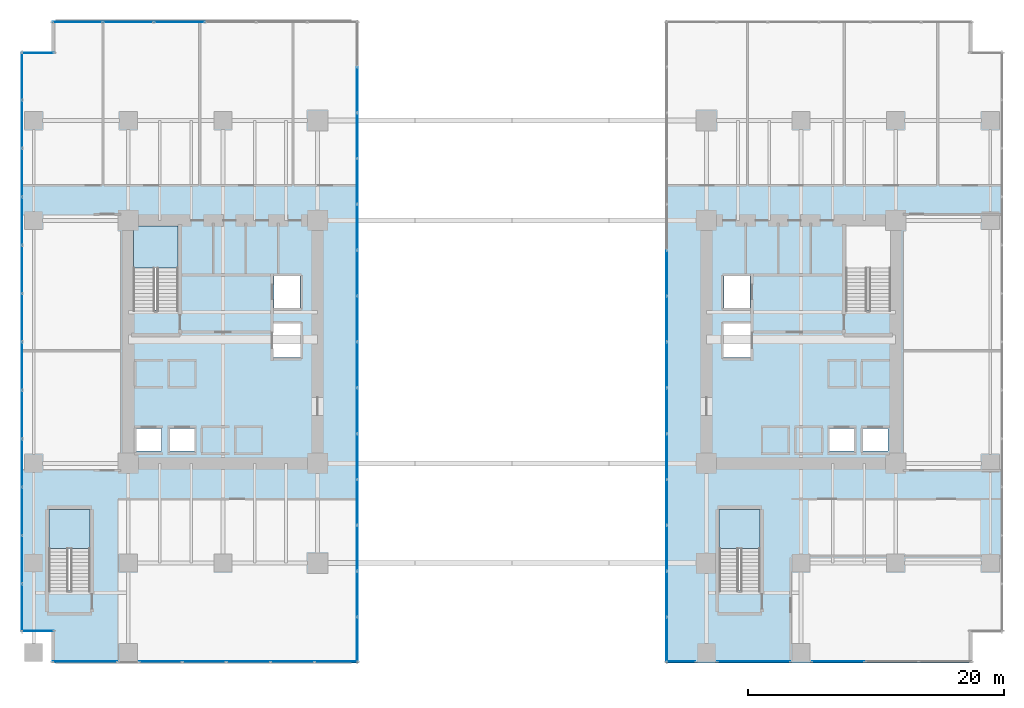
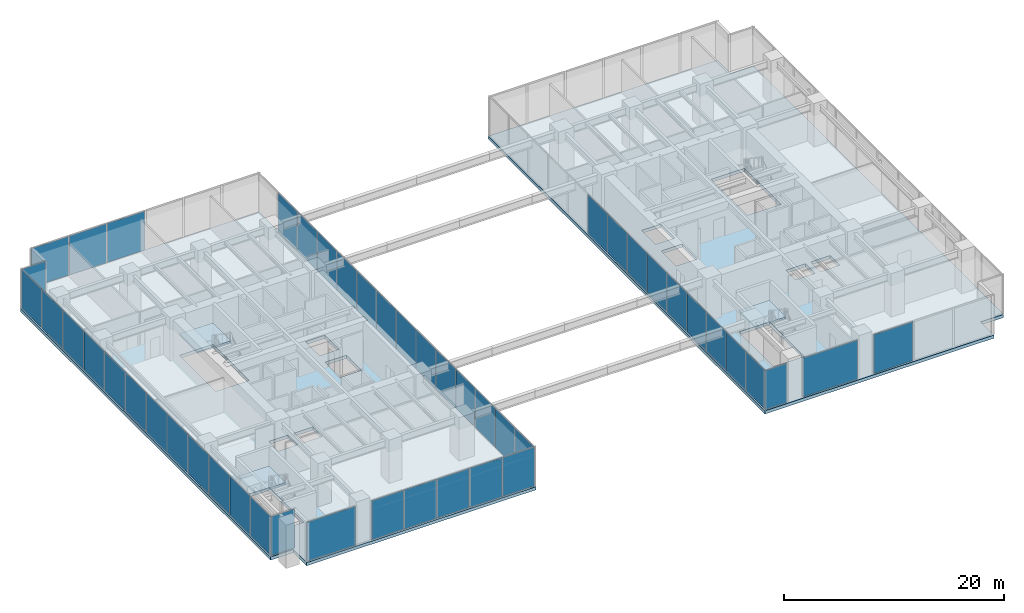
# One storey, part 28 of 39: 48 plates, 5 slabs, 14 elements without a shape of their own.
"""IFC4 building model written with IfcOpenShell, lengths in metres."""

from ifc_helpers import new_model, si_unit, direction, frame, origin, origin_2d, place, context, subcontext, project, spatial, polyline, rectangle, outline, extrude, source, transform, mapped, material, layer, layer_set, type_object, type_shapes, element, aggregate, save


model = new_model("IFC4")

# Units and contexts
model_context = context("Model", 3, precision=1e-05, world=origin(), true_north=direction((0.0, 1.0)))
body_context = subcontext(model_context, "Body", "Model", "MODEL_VIEW")
ifc_project = project(units=[si_unit("LENGTHUNIT", "METRE"), si_unit("AREAUNIT", "SQUARE_METRE"), si_unit("VOLUMEUNIT", "CUBIC_METRE"), si_unit("PLANEANGLEUNIT", "RADIAN"), si_unit("MASSUNIT", "GRAM", prefix="KILO")], contexts=[model_context])

# Site, building, storey
site_placement = place(None, origin())
site = spatial("IfcSite", under=ifc_project, at=site_placement, CompositionType="ELEMENT")
building_placement = place(site_placement, origin())
building = spatial("IfcBuilding", under=site, at=building_placement, Name="Haelvirn Gate Laboratories", CompositionType="ELEMENT")
storey_placement = place(building_placement, frame((0.0, 0.0, 15.0)))
storey = spatial("IfcBuildingStorey", under=building, at=storey_placement, Name="L04", CompositionType="ELEMENT", Elevation=15.0)

# Slabs
ifc_material_1 = material(Name="Concrete C50/60", Category="concrete")
ifc_layer_1 = layer(ifc_material_1, 0.35009765625, Name="SL-POD-350")
ifc_layer_set_1 = layer_set([ifc_layer_1], Name="Concrete C50/60")
slab_type_1 = type_object("IfcSlabType", Name="SL-POD-350", PredefinedType="FLOOR", material=ifc_layer_set_1)
slab_1_placement = place(storey_placement, frame((0.0, 0.0, -0.35009765625)))
element("IfcSlab", 1, at=slab_1_placement, inside=storey, type_object=slab_type_1, Name="L04 Structural Slab W", PredefinedType="FLOOR", context=body_context, shape_type="SweptSolid", body=[
    extrude(outline(polyline([(1.39990234375, -0.800048828125), (25.39990234375, -0.800048828125), (25.39990234375, 49.39990234375), (1.39990234375, 49.39990234375), (1.39990234375, 47.0), (-1.0, 47.0), (-1.0, 1.60009765625), (1.39990234375, 1.60009765625), (1.39990234375, -0.800048828125)]), holes=[polyline([(11.300048828125, 26.780029296875), (11.300048828125, 33.35009765625), (7.800048828125, 33.35009765625), (7.800048828125, 26.780029296875), (11.300048828125, 26.780029296875)]), polyline([(4.39990234375, 4.8798828125), (4.39990234375, 11.199951171875), (1.199951171875, 11.199951171875), (1.199951171875, 4.8798828125), (4.39990234375, 4.8798828125)]), polyline([(7.989990234375, 15.77001953125), (10.010009765625, 15.77001953125), (10.010009765625, 17.510009765625), (7.989990234375, 17.510009765625), (7.989990234375, 15.77001953125)]), polyline([(10.590087890625, 15.77001953125), (12.610107421875, 15.77001953125), (12.610107421875, 17.510009765625), (10.590087890625, 17.510009765625), (10.590087890625, 15.77001953125)]), polyline([(18.7900390625, 26.969970703125), (20.81005859375, 26.969970703125), (20.81005859375, 29.510009765625), (18.7900390625, 29.510009765625), (18.7900390625, 26.969970703125)]), polyline([(18.68994140625, 23.070068359375), (20.909912109375, 23.070068359375), (20.909912109375, 25.81005859375), (18.68994140625, 25.81005859375), (18.68994140625, 23.070068359375)])]), origin(), (0.0, 0.0, 1.0), 0.35009765625),
])
slab_2_placement = place(storey_placement, frame((0.0, 0.0, -0.35009765625)))
element("IfcSlab", 2, at=slab_2_placement, inside=storey, type_object=slab_type_1, Name="L04 Structural Slab E", PredefinedType="FLOOR", context=body_context, shape_type="SweptSolid", body=[
    extrude(outline(polyline([(49.39990234375, -0.800048828125), (73.39990234375, -0.800048828125), (73.39990234375, 1.60009765625), (75.800048828125, 1.60009765625), (75.800048828125, 47.0), (73.39990234375, 47.0), (73.39990234375, 49.39990234375), (49.39990234375, 49.39990234375), (49.39990234375, -0.800048828125)]), holes=[polyline([(67.0, 26.780029296875), (67.0, 33.35009765625), (63.5, 33.35009765625), (63.5, 26.780029296875), (67.0, 26.780029296875)]), polyline([(56.800048828125, 4.8798828125), (56.800048828125, 11.199951171875), (53.60009765625, 11.199951171875), (53.60009765625, 4.8798828125), (56.800048828125, 4.8798828125)]), polyline([(64.7900390625, 15.77001953125), (66.81005859375, 15.77001953125), (66.81005859375, 17.510009765625), (64.7900390625, 17.510009765625), (64.7900390625, 15.77001953125)]), polyline([(62.18994140625, 15.77001953125), (64.2099609375, 15.77001953125), (64.2099609375, 17.510009765625), (62.18994140625, 17.510009765625), (62.18994140625, 15.77001953125)]), polyline([(53.989990234375, 26.969970703125), (56.010009765625, 26.969970703125), (56.010009765625, 29.510009765625), (53.989990234375, 29.510009765625), (53.989990234375, 26.969970703125)]), polyline([(53.889892578125, 23.070068359375), (56.110107421875, 23.070068359375), (56.110107421875, 25.81005859375), (53.889892578125, 25.81005859375), (53.889892578125, 23.070068359375)])]), origin(), (0.0, 0.0, 1.0), 0.35009765625),
])

# Stair, slab
ifc_material_2 = material(Name="Concrete C40/50", Category="concrete")
stair_type_1 = type_object("IfcStairType", Name="ST-DOG-1650-R26", PredefinedType="HALF_TURN_STAIR", material=ifc_material_2)
stair_1_placement = place(storey_placement, origin())
stair_1 = element("IfcStair", 3, at=stair_1_placement, inside=storey, type_object=stair_type_1, Name="L04 Escape Stair ST1", PredefinedType="HALF_TURN_STAIR")
ifc_layer_2 = layer(ifc_material_2, 0.199951171875, Name="SL-STAIR-LND")
ifc_layer_set_2 = layer_set([ifc_layer_2], Name="Concrete C40/50")
slab_type_2 = type_object("IfcSlabType", Name="SL-STAIR-LND", PredefinedType="LANDING", material=ifc_layer_set_2)
slab_3_placement = place(storey_placement, frame((0.0, 0.0, 2.199951171875)))
slab_3 = element("IfcSlab", 4, at=slab_3_placement, type_object=slab_type_2, Name="ST1 landing 1", PredefinedType="LANDING", context=body_context, shape_type="SweptSolid", body=[
    extrude(outline(polyline([(11.300048828125, 30.06005859375), (11.300048828125, 33.35009765625), (7.800048828125, 33.35009765625), (7.800048828125, 30.06005859375), (11.300048828125, 30.06005859375)])), origin(), (0.0, 0.0, 1.0), 0.199951171875),
])
aggregate(stair_1, [slab_3])

stair_type_2 = type_object("IfcStairType", Name="ST-DOG-1500-R26", PredefinedType="HALF_TURN_STAIR", material=ifc_material_2)
stair_2_placement = place(storey_placement, origin())
stair_2 = element("IfcStair", 5, at=stair_2_placement, inside=storey, type_object=stair_type_2, Name="L04 Escape Stair ST3", PredefinedType="HALF_TURN_STAIR")
slab_4_placement = place(storey_placement, frame((0.0, 0.0, 2.199951171875)))
slab_4 = element("IfcSlab", 6, at=slab_4_placement, type_object=slab_type_2, Name="ST3 landing 1", PredefinedType="LANDING", context=body_context, shape_type="SweptSolid", body=[
    extrude(outline(polyline([(4.39990234375, 8.159912109375), (4.39990234375, 11.199951171875), (1.199951171875, 11.199951171875), (1.199951171875, 8.159912109375), (4.39990234375, 8.159912109375)])), origin(), (0.0, 0.0, 1.0), 0.199951171875),
])
aggregate(stair_2, [slab_4])

stair_3_placement = place(storey_placement, origin())
stair_3 = element("IfcStair", 7, at=stair_3_placement, inside=storey, type_object=stair_type_2, Name="L04 Escape Stair ST4", PredefinedType="HALF_TURN_STAIR")
slab_5_placement = place(storey_placement, frame((0.0, 0.0, 2.199951171875)))
slab_5 = element("IfcSlab", 8, at=slab_5_placement, type_object=slab_type_2, Name="ST4 landing 1", PredefinedType="LANDING", context=body_context, shape_type="SweptSolid", body=[
    extrude(outline(polyline([(56.800048828125, 8.159912109375), (56.800048828125, 11.199951171875), (53.60009765625, 11.199951171875), (53.60009765625, 8.159912109375), (56.800048828125, 8.159912109375)])), origin(), (0.0, 0.0, 1.0), 0.199951171875),
])
aggregate(stair_3, [slab_5])

# Curtain wall, plate
ifc_material_3 = material(Name="Anodised bronze unitised aluminium & triple low-E glass", Category="aluminium")
ifc_layer_3 = layer(ifc_material_3, 0.18798828125, Name="CW-SYS-1")
ifc_layer_set_3 = layer_set([ifc_layer_3], Name="Anodised bronze unitised aluminium & triple low-E glass")
curtain_wall_type_1 = type_object("IfcCurtainWallType", Name="CW-SYS-1", PredefinedType="NOTDEFINED", material=ifc_layer_set_3)
curtain_wall_1_placement = place(storey_placement, origin())
curtain_wall_1 = element("IfcCurtainWall", 9, at=curtain_wall_1_placement, inside=storey, type_object=curtain_wall_type_1, Name="L04 Unitised Curtain Wall CW-L04-P0-E00-1-S1", PredefinedType="NOTDEFINED")
ifc_material_4 = material(Name="Bronze solar-control triple low-E IGU 48 mm", Category="glass")
ifc_layer_4 = layer(ifc_material_4, 0.048095703125, Name="CWP-IGU-48")
ifc_layer_set_4 = layer_set([ifc_layer_4], Name="Bronze solar-control triple low-E IGU 48 mm")
plate_type_1 = type_object("IfcPlateType", Name="CWP-IGU-48", PredefinedType="CURTAIN_PANEL", material=ifc_layer_set_4)
shared_shape_1 = source(origin(), body_context, "Body", "SweptSolid", [
    extrude(rectangle(XDim=5.06005859375, YDim=0.048095703125, at=origin_2d()), origin(), (0.0, 0.0, 1.0), 4.31005859375),
])
plate_1_placement = place(storey_placement, frame((4.010009765625, -0.699951171875, 0.070068359375), z_axis=(0.0, 0.0, 1.0), x_axis=(1.0, 0.0, 0.0)))
plate_1 = element("IfcPlate", 10, at=plate_1_placement, type_object=plate_type_1, Name="CW1 panel 1.1", PredefinedType="CURTAIN_PANEL", context=body_context, shape_type="MappedRepresentation", body=[
    mapped(shared_shape_1, transform((0.0, 0.0, 0.0), scale=1.0)),
])
aggregate(curtain_wall_1, [plate_1])

# Curtain wall, plates
curtain_wall_2_placement = place(storey_placement, origin())
curtain_wall_2 = element("IfcCurtainWall", 11, at=curtain_wall_2_placement, inside=storey, type_object=curtain_wall_type_1, Name="L04 Unitised Curtain Wall CW-L04-P0-E00-1-S2", PredefinedType="NOTDEFINED")
shared_shape_2 = source(origin(), body_context, "Body", "SweptSolid", [
    extrude(rectangle(XDim=3.323974609375, YDim=0.048095703125, at=origin_2d()), origin(), (0.0, 0.0, 1.0), 4.31005859375),
])
plate_2_placement = place(storey_placement, frame((9.922119140625, -0.699951171875, 0.070068359375), z_axis=(0.0, 0.0, 1.0), x_axis=(1.0, 0.0, 0.0)))
plate_2 = element("IfcPlate", 12, at=plate_2_placement, type_object=plate_type_1, Name="CW1 panel 1.1", PredefinedType="CURTAIN_PANEL", context=body_context, shape_type="MappedRepresentation", body=[
    mapped(shared_shape_2, transform((0.0, 0.0, 0.0), scale=1.0)),
])
plate_3_placement = place(storey_placement, frame((23.657958984375, -0.699951171875, 0.070068359375), z_axis=(0.0, 0.0, 1.0), x_axis=(1.0, 0.0, 0.0)))
plate_3 = element("IfcPlate", 13, at=plate_3_placement, type_object=plate_type_1, Name="CW1 panel 5.1", PredefinedType="CURTAIN_PANEL", context=body_context, shape_type="MappedRepresentation", body=[
    mapped(shared_shape_2, transform((0.0, 0.0, 0.0), scale=1.0)),
])
shared_shape_3 = source(origin(), body_context, "Body", "SweptSolid", [
    extrude(rectangle(XDim=3.364013671875, YDim=0.048095703125, at=origin_2d()), origin(), (0.0, 0.0, 1.0), 4.31005859375),
])
plate_4_placement = place(storey_placement, frame((13.345947265625, -0.699951171875, 0.070068359375), z_axis=(0.0, 0.0, 1.0), x_axis=(1.0, 0.0, 0.0)))
plate_4 = element("IfcPlate", 14, at=plate_4_placement, type_object=plate_type_1, Name="CW1 panel 2.1", PredefinedType="CURTAIN_PANEL", context=body_context, shape_type="MappedRepresentation", body=[
    mapped(shared_shape_3, transform((0.0, 0.0, 0.0), scale=1.0)),
])
plate_5_placement = place(storey_placement, frame((16.7900390625, -0.699951171875, 0.070068359375), z_axis=(0.0, 0.0, 1.0), x_axis=(1.0, 0.0, 0.0)))
plate_5 = element("IfcPlate", 15, at=plate_5_placement, type_object=plate_type_1, Name="CW1 panel 3.1", PredefinedType="CURTAIN_PANEL", context=body_context, shape_type="MappedRepresentation", body=[
    mapped(shared_shape_3, transform((0.0, 0.0, 0.0), scale=1.0)),
])
plate_6_placement = place(storey_placement, frame((20.23388671875, -0.699951171875, 0.070068359375), z_axis=(0.0, 0.0, 1.0), x_axis=(1.0, 0.0, 0.0)))
plate_6 = element("IfcPlate", 16, at=plate_6_placement, type_object=plate_type_1, Name="CW1 panel 4.1", PredefinedType="CURTAIN_PANEL", context=body_context, shape_type="MappedRepresentation", body=[
    mapped(shared_shape_3, transform((0.0, 0.0, 0.0), scale=1.0)),
])
aggregate(curtain_wall_2, [plate_2, plate_4, plate_5, plate_6, plate_3])

# Curtain wall, plate
curtain_wall_3_placement = place(storey_placement, origin())
curtain_wall_3 = element("IfcCurtainWall", 17, at=curtain_wall_3_placement, inside=storey, type_object=curtain_wall_type_1, Name="L04 Unitised Curtain Wall CW-L04-P0-E01", PredefinedType="NOTDEFINED")
shared_shape_4 = source(origin(), body_context, "Body", "SweptSolid", [
    extrude(rectangle(XDim=3.4658203125, YDim=0.048095703125, at=origin_2d()), origin(), (0.0, 0.0, 1.0), 4.31005859375),
])
plate_7_placement = place(storey_placement, frame((25.300048828125, 1.012939453125, 0.070068359375), z_axis=(0.0, 0.0, 1.0), x_axis=(0.0, 1.0, 0.0)))
plate_7 = element("IfcPlate", 18, at=plate_7_placement, type_object=plate_type_1, Name="CW1 panel 1.1", PredefinedType="CURTAIN_PANEL", context=body_context, shape_type="MappedRepresentation", body=[
    mapped(shared_shape_4, transform((0.0, 0.0, 0.0), scale=1.0)),
])

curtain_wall_4_placement = place(storey_placement, origin())
curtain_wall_4 = element("IfcCurtainWall", 19, at=curtain_wall_4_placement, inside=storey, type_object=curtain_wall_type_1, Name="L04 Unitised Curtain Wall CW-L04-P1-E07", PredefinedType="NOTDEFINED")
plate_8_placement = place(storey_placement, frame((49.5, 1.012939453125, 0.070068359375), z_axis=(0.0, 0.0, 1.0), x_axis=(0.0, -1.0, 0.0)))
plate_8 = element("IfcPlate", 20, at=plate_8_placement, type_object=plate_type_1, Name="CW1 panel 14.1", PredefinedType="CURTAIN_PANEL", context=body_context, shape_type="MappedRepresentation", body=[
    mapped(shared_shape_4, transform((0.0, 0.0, 0.0), scale=1.0)),
])

# Plate
shared_shape_5 = source(origin(), body_context, "Body", "SweptSolid", [
    extrude(rectangle(XDim=3.505615234375, YDim=0.048095703125, at=origin_2d()), origin(), (0.0, 0.0, 1.0), 4.31005859375),
])
plate_9_placement = place(storey_placement, frame((25.300048828125, 4.57861328125, 0.070068359375), z_axis=(0.0, 0.0, 1.0), x_axis=(0.0, 1.0, 0.0)))
plate_9 = element("IfcPlate", 21, at=plate_9_placement, type_object=plate_type_1, Name="CW1 panel 2.1", PredefinedType="CURTAIN_PANEL", context=body_context, shape_type="MappedRepresentation", body=[
    mapped(shared_shape_5, transform((0.0, 0.0, 0.0), scale=1.0)),
])

plate_10_placement = place(storey_placement, frame((25.300048828125, 8.164306640625, 0.070068359375), z_axis=(0.0, 0.0, 1.0), x_axis=(0.0, 1.0, 0.0)))
plate_10 = element("IfcPlate", 22, at=plate_10_placement, type_object=plate_type_1, Name="CW1 panel 3.1", PredefinedType="CURTAIN_PANEL", context=body_context, shape_type="MappedRepresentation", body=[
    mapped(shared_shape_5, transform((0.0, 0.0, 0.0), scale=1.0)),
])

plate_11_placement = place(storey_placement, frame((25.300048828125, 11.75, 0.070068359375), z_axis=(0.0, 0.0, 1.0), x_axis=(0.0, 1.0, 0.0)))
plate_11 = element("IfcPlate", 23, at=plate_11_placement, type_object=plate_type_1, Name="CW1 panel 4.1", PredefinedType="CURTAIN_PANEL", context=body_context, shape_type="MappedRepresentation", body=[
    mapped(shared_shape_5, transform((0.0, 0.0, 0.0), scale=1.0)),
])

plate_12_placement = place(storey_placement, frame((25.300048828125, 15.335693359375, 0.070068359375), z_axis=(0.0, 0.0, 1.0), x_axis=(0.0, 1.0, 0.0)))
plate_12 = element("IfcPlate", 24, at=plate_12_placement, type_object=plate_type_1, Name="CW1 panel 5.1", PredefinedType="CURTAIN_PANEL", context=body_context, shape_type="MappedRepresentation", body=[
    mapped(shared_shape_5, transform((0.0, 0.0, 0.0), scale=1.0)),
])

plate_13_placement = place(storey_placement, frame((25.300048828125, 18.92138671875, 0.070068359375), z_axis=(0.0, 0.0, 1.0), x_axis=(0.0, 1.0, 0.0)))
plate_13 = element("IfcPlate", 25, at=plate_13_placement, type_object=plate_type_1, Name="CW1 panel 6.1", PredefinedType="CURTAIN_PANEL", context=body_context, shape_type="MappedRepresentation", body=[
    mapped(shared_shape_5, transform((0.0, 0.0, 0.0), scale=1.0)),
])

plate_14_placement = place(storey_placement, frame((25.300048828125, 22.507080078125, 0.070068359375), z_axis=(0.0, 0.0, 1.0), x_axis=(0.0, 1.0, 0.0)))
plate_14 = element("IfcPlate", 26, at=plate_14_placement, type_object=plate_type_1, Name="CW1 panel 7.1", PredefinedType="CURTAIN_PANEL", context=body_context, shape_type="MappedRepresentation", body=[
    mapped(shared_shape_5, transform((0.0, 0.0, 0.0), scale=1.0)),
])

plate_15_placement = place(storey_placement, frame((25.300048828125, 26.0927734375, 0.070068359375), z_axis=(0.0, 0.0, 1.0), x_axis=(0.0, 1.0, 0.0)))
plate_15 = element("IfcPlate", 27, at=plate_15_placement, type_object=plate_type_1, Name="CW1 panel 8.1", PredefinedType="CURTAIN_PANEL", context=body_context, shape_type="MappedRepresentation", body=[
    mapped(shared_shape_5, transform((0.0, 0.0, 0.0), scale=1.0)),
])

plate_16_placement = place(storey_placement, frame((25.300048828125, 29.678466796875, 0.070068359375), z_axis=(0.0, 0.0, 1.0), x_axis=(0.0, 1.0, 0.0)))
plate_16 = element("IfcPlate", 28, at=plate_16_placement, type_object=plate_type_1, Name="CW1 panel 9.1", PredefinedType="CURTAIN_PANEL", context=body_context, shape_type="MappedRepresentation", body=[
    mapped(shared_shape_5, transform((0.0, 0.0, 0.0), scale=1.0)),
])

plate_17_placement = place(storey_placement, frame((25.300048828125, 33.264404296875, 0.070068359375), z_axis=(0.0, 0.0, 1.0), x_axis=(0.0, 1.0, 0.0)))
plate_17 = element("IfcPlate", 29, at=plate_17_placement, type_object=plate_type_1, Name="CW1 panel 10.1", PredefinedType="CURTAIN_PANEL", context=body_context, shape_type="MappedRepresentation", body=[
    mapped(shared_shape_5, transform((0.0, 0.0, 0.0), scale=1.0)),
])

plate_18_placement = place(storey_placement, frame((25.300048828125, 36.85009765625, 0.070068359375), z_axis=(0.0, 0.0, 1.0), x_axis=(0.0, 1.0, 0.0)))
plate_18 = element("IfcPlate", 30, at=plate_18_placement, type_object=plate_type_1, Name="CW1 panel 11.1", PredefinedType="CURTAIN_PANEL", context=body_context, shape_type="MappedRepresentation", body=[
    mapped(shared_shape_5, transform((0.0, 0.0, 0.0), scale=1.0)),
])

plate_19_placement = place(storey_placement, frame((25.300048828125, 40.435791015625, 0.070068359375), z_axis=(0.0, 0.0, 1.0), x_axis=(0.0, 1.0, 0.0)))
plate_19 = element("IfcPlate", 31, at=plate_19_placement, type_object=plate_type_1, Name="CW1 panel 12.1", PredefinedType="CURTAIN_PANEL", context=body_context, shape_type="MappedRepresentation", body=[
    mapped(shared_shape_5, transform((0.0, 0.0, 0.0), scale=1.0)),
])

plate_20_placement = place(storey_placement, frame((25.300048828125, 44.021484375, 0.070068359375), z_axis=(0.0, 0.0, 1.0), x_axis=(0.0, 1.0, 0.0)))
plate_20 = element("IfcPlate", 32, at=plate_20_placement, type_object=plate_type_1, Name="CW1 panel 13.1", PredefinedType="CURTAIN_PANEL", context=body_context, shape_type="MappedRepresentation", body=[
    mapped(shared_shape_5, transform((0.0, 0.0, 0.0), scale=1.0)),
])

aggregate(curtain_wall_3, [plate_7, plate_9, plate_10, plate_11, plate_12, plate_13, plate_14, plate_15, plate_16, plate_17, plate_18, plate_19, plate_20])

plate_21_placement = place(storey_placement, frame((49.5, 29.678466796875, 0.070068359375), z_axis=(0.0, 0.0, 1.0), x_axis=(0.0, -1.0, 0.0)))
plate_21 = element("IfcPlate", 33, at=plate_21_placement, type_object=plate_type_1, Name="CW1 panel 6.1", PredefinedType="CURTAIN_PANEL", context=body_context, shape_type="MappedRepresentation", body=[
    mapped(shared_shape_5, transform((0.0, 0.0, 0.0), scale=1.0)),
])

plate_22_placement = place(storey_placement, frame((49.5, 26.0927734375, 0.070068359375), z_axis=(0.0, 0.0, 1.0), x_axis=(0.0, -1.0, 0.0)))
plate_22 = element("IfcPlate", 34, at=plate_22_placement, type_object=plate_type_1, Name="CW1 panel 7.1", PredefinedType="CURTAIN_PANEL", context=body_context, shape_type="MappedRepresentation", body=[
    mapped(shared_shape_5, transform((0.0, 0.0, 0.0), scale=1.0)),
])

plate_23_placement = place(storey_placement, frame((49.5, 22.507080078125, 0.070068359375), z_axis=(0.0, 0.0, 1.0), x_axis=(0.0, -1.0, 0.0)))
plate_23 = element("IfcPlate", 35, at=plate_23_placement, type_object=plate_type_1, Name="CW1 panel 8.1", PredefinedType="CURTAIN_PANEL", context=body_context, shape_type="MappedRepresentation", body=[
    mapped(shared_shape_5, transform((0.0, 0.0, 0.0), scale=1.0)),
])

plate_24_placement = place(storey_placement, frame((49.5, 18.92138671875, 0.070068359375), z_axis=(0.0, 0.0, 1.0), x_axis=(0.0, -1.0, 0.0)))
plate_24 = element("IfcPlate", 36, at=plate_24_placement, type_object=plate_type_1, Name="CW1 panel 9.1", PredefinedType="CURTAIN_PANEL", context=body_context, shape_type="MappedRepresentation", body=[
    mapped(shared_shape_5, transform((0.0, 0.0, 0.0), scale=1.0)),
])

plate_25_placement = place(storey_placement, frame((49.5, 15.335693359375, 0.070068359375), z_axis=(0.0, 0.0, 1.0), x_axis=(0.0, -1.0, 0.0)))
plate_25 = element("IfcPlate", 37, at=plate_25_placement, type_object=plate_type_1, Name="CW1 panel 10.1", PredefinedType="CURTAIN_PANEL", context=body_context, shape_type="MappedRepresentation", body=[
    mapped(shared_shape_5, transform((0.0, 0.0, 0.0), scale=1.0)),
])

plate_26_placement = place(storey_placement, frame((49.5, 11.75, 0.070068359375), z_axis=(0.0, 0.0, 1.0), x_axis=(0.0, -1.0, 0.0)))
plate_26 = element("IfcPlate", 38, at=plate_26_placement, type_object=plate_type_1, Name="CW1 panel 11.1", PredefinedType="CURTAIN_PANEL", context=body_context, shape_type="MappedRepresentation", body=[
    mapped(shared_shape_5, transform((0.0, 0.0, 0.0), scale=1.0)),
])

plate_27_placement = place(storey_placement, frame((49.5, 8.164306640625, 0.070068359375), z_axis=(0.0, 0.0, 1.0), x_axis=(0.0, -1.0, 0.0)))
plate_27 = element("IfcPlate", 39, at=plate_27_placement, type_object=plate_type_1, Name="CW1 panel 12.1", PredefinedType="CURTAIN_PANEL", context=body_context, shape_type="MappedRepresentation", body=[
    mapped(shared_shape_5, transform((0.0, 0.0, 0.0), scale=1.0)),
])

plate_28_placement = place(storey_placement, frame((49.5, 4.57861328125, 0.070068359375), z_axis=(0.0, 0.0, 1.0), x_axis=(0.0, -1.0, 0.0)))
plate_28 = element("IfcPlate", 40, at=plate_28_placement, type_object=plate_type_1, Name="CW1 panel 13.1", PredefinedType="CURTAIN_PANEL", context=body_context, shape_type="MappedRepresentation", body=[
    mapped(shared_shape_5, transform((0.0, 0.0, 0.0), scale=1.0)),
])

aggregate(curtain_wall_4, [plate_21, plate_22, plate_23, plate_24, plate_25, plate_26, plate_27, plate_28, plate_8])

# Curtain wall, plates
curtain_wall_5_placement = place(storey_placement, origin())
curtain_wall_5 = element("IfcCurtainWall", 41, at=curtain_wall_5_placement, inside=storey, type_object=curtain_wall_type_1, Name="L04 Unitised Curtain Wall CW-L04-P0-E02-1", PredefinedType="NOTDEFINED")
shared_shape_6 = source(origin(), body_context, "Body", "SweptSolid", [
    extrude(rectangle(XDim=3.8798828125, YDim=0.048095703125, at=origin_2d()), origin(), (0.0, 0.0, 1.0), 4.31005859375),
])
plate_29_placement = place(storey_placement, frame((3.419921875, 49.300048828125, 0.070068359375), z_axis=(0.0, 0.0, 1.0), x_axis=(1.0, 0.0, 0.0)))
plate_29 = element("IfcPlate", 42, at=plate_29_placement, type_object=plate_type_1, Name="CW1 panel 1.1", PredefinedType="CURTAIN_PANEL", context=body_context, shape_type="MappedRepresentation", body=[
    mapped(shared_shape_6, transform((0.0, 0.0, 0.0), scale=1.0)),
])
shared_shape_7 = source(origin(), body_context, "Body", "SweptSolid", [
    extrude(rectangle(XDim=3.919921875, YDim=0.048095703125, at=origin_2d()), origin(), (0.0, 0.0, 1.0), 4.31005859375),
])
plate_30_placement = place(storey_placement, frame((7.39990234375, 49.300048828125, 0.070068359375), z_axis=(0.0, 0.0, 1.0), x_axis=(1.0, 0.0, 0.0)))
plate_30 = element("IfcPlate", 43, at=plate_30_placement, type_object=plate_type_1, Name="CW1 panel 2.1", PredefinedType="CURTAIN_PANEL", context=body_context, shape_type="MappedRepresentation", body=[
    mapped(shared_shape_7, transform((0.0, 0.0, 0.0), scale=1.0)),
])
plate_31_placement = place(storey_placement, frame((11.39990234375, 49.300048828125, 0.070068359375), z_axis=(0.0, 0.0, 1.0), x_axis=(1.0, 0.0, 0.0)))
plate_31 = element("IfcPlate", 44, at=plate_31_placement, type_object=plate_type_1, Name="CW1 panel 3.1", PredefinedType="CURTAIN_PANEL", context=body_context, shape_type="MappedRepresentation", body=[
    mapped(shared_shape_7, transform((0.0, 0.0, 0.0), scale=1.0)),
])
aggregate(curtain_wall_5, [plate_29, plate_30, plate_31])

# Curtain wall, plate
ifc_layer_5 = layer(ifc_material_3, 0.181884765625, Name="CW-SYS-5")
ifc_layer_set_5 = layer_set([ifc_layer_5], Name="Anodised bronze unitised aluminium & triple low-E glass")
curtain_wall_type_2 = type_object("IfcCurtainWallType", Name="CW-SYS-5", PredefinedType="NOTDEFINED", material=ifc_layer_set_5)
curtain_wall_6_placement = place(storey_placement, origin())
curtain_wall_6 = element("IfcCurtainWall", 45, at=curtain_wall_6_placement, inside=storey, type_object=curtain_wall_type_2, Name="L04 Unitised Curtain Wall CW-L04-P0-E04-1", PredefinedType="NOTDEFINED")
ifc_material_5 = material(Name="Clear low-iron notched-corner triple IGU 42 mm", Category="glass")
ifc_layer_6 = layer(ifc_material_5, 0.0419921875, Name="CWP-NTC-42")
ifc_layer_set_6 = layer_set([ifc_layer_6], Name="Clear low-iron notched-corner triple IGU 42 mm")
plate_type_2 = type_object("IfcPlateType", Name="CWP-NTC-42", PredefinedType="CURTAIN_PANEL", material=ifc_layer_set_6)
shared_shape_8 = source(origin(), body_context, "Body", "SweptSolid", [
    extrude(rectangle(XDim=2.47998046875, YDim=0.0419921875, at=origin_2d()), origin(), (0.0, 0.0, 1.0), 4.320068359375),
])
type_shapes(plate_type_2, [shared_shape_8])
plate_32_placement = place(storey_placement, frame((0.320068359375, 46.89990234375, 0.06494140625), z_axis=(0.0, 0.0, 1.0), x_axis=(1.0, 0.0, 0.0)))
plate_32 = element("IfcPlate", 46, at=plate_32_placement, type_object=plate_type_2, Name="CW5 panel 1.1", PredefinedType="CURTAIN_PANEL", context=body_context, shape_type="MappedRepresentation", body=[
    mapped(shared_shape_8, transform((0.0, 0.0, 0.0), scale=1.0)),
])
aggregate(curtain_wall_6, [plate_32])

curtain_wall_7_placement = place(storey_placement, origin())
curtain_wall_7 = element("IfcCurtainWall", 47, at=curtain_wall_7_placement, inside=storey, type_object=curtain_wall_type_2, Name="L04 Unitised Curtain Wall CW-L04-P0-E06-1", PredefinedType="NOTDEFINED")
plate_33_placement = place(storey_placement, frame((0.320068359375, 1.699951171875, 0.06494140625), z_axis=(0.0, 0.0, 1.0), x_axis=(1.0, 0.0, 0.0)))
plate_33 = element("IfcPlate", 48, at=plate_33_placement, type_object=plate_type_2, Name="CW5 panel 1.1", PredefinedType="CURTAIN_PANEL", context=body_context, shape_type="MappedRepresentation", body=[
    mapped(shared_shape_8, transform((0.0, 0.0, 0.0), scale=1.0)),
])
aggregate(curtain_wall_7, [plate_33])

# Curtain wall, plates
curtain_wall_8_placement = place(storey_placement, origin())
curtain_wall_8 = element("IfcCurtainWall", 49, at=curtain_wall_8_placement, inside=storey, type_object=curtain_wall_type_1, Name="L04 Unitised Curtain Wall CW-L04-P0-E05", PredefinedType="NOTDEFINED")
shared_shape_9 = source(origin(), body_context, "Body", "SweptSolid", [
    extrude(rectangle(XDim=3.663330078125, YDim=0.048095703125, at=origin_2d()), origin(), (0.0, 0.0, 1.0), 4.31005859375),
])
plate_34_placement = place(storey_placement, frame((-0.89990234375, 45.08837890625, 0.070068359375), z_axis=(0.0, 0.0, 1.0), x_axis=(0.0, -1.0, 0.0)))
plate_34 = element("IfcPlate", 50, at=plate_34_placement, type_object=plate_type_1, Name="CW1 panel 1.1", PredefinedType="CURTAIN_PANEL", context=body_context, shape_type="MappedRepresentation", body=[
    mapped(shared_shape_9, transform((0.0, 0.0, 0.0), scale=1.0)),
])
plate_35_placement = place(storey_placement, frame((-0.89990234375, 3.51171875, 0.070068359375), z_axis=(0.0, 0.0, 1.0), x_axis=(0.0, -1.0, 0.0)))
plate_35 = element("IfcPlate", 51, at=plate_35_placement, type_object=plate_type_1, Name="CW1 panel 12.1", PredefinedType="CURTAIN_PANEL", context=body_context, shape_type="MappedRepresentation", body=[
    mapped(shared_shape_9, transform((0.0, 0.0, 0.0), scale=1.0)),
])
shared_shape_10 = source(origin(), body_context, "Body", "SweptSolid", [
    extrude(rectangle(XDim=3.703369140625, YDim=0.048095703125, at=origin_2d()), origin(), (0.0, 0.0, 1.0), 4.31005859375),
])
plate_36_placement = place(storey_placement, frame((-0.89990234375, 41.324951171875, 0.070068359375), z_axis=(0.0, 0.0, 1.0), x_axis=(0.0, -1.0, 0.0)))
plate_36 = element("IfcPlate", 52, at=plate_36_placement, type_object=plate_type_1, Name="CW1 panel 2.1", PredefinedType="CURTAIN_PANEL", context=body_context, shape_type="MappedRepresentation", body=[
    mapped(shared_shape_10, transform((0.0, 0.0, 0.0), scale=1.0)),
])
plate_37_placement = place(storey_placement, frame((-0.89990234375, 37.541748046875, 0.070068359375), z_axis=(0.0, 0.0, 1.0), x_axis=(0.0, -1.0, 0.0)))
plate_37 = element("IfcPlate", 53, at=plate_37_placement, type_object=plate_type_1, Name="CW1 panel 3.1", PredefinedType="CURTAIN_PANEL", context=body_context, shape_type="MappedRepresentation", body=[
    mapped(shared_shape_10, transform((0.0, 0.0, 0.0), scale=1.0)),
])
plate_38_placement = place(storey_placement, frame((-0.89990234375, 33.75830078125, 0.070068359375), z_axis=(0.0, 0.0, 1.0), x_axis=(0.0, -1.0, 0.0)))
plate_38 = element("IfcPlate", 54, at=plate_38_placement, type_object=plate_type_1, Name="CW1 panel 4.1", PredefinedType="CURTAIN_PANEL", context=body_context, shape_type="MappedRepresentation", body=[
    mapped(shared_shape_10, transform((0.0, 0.0, 0.0), scale=1.0)),
])
plate_39_placement = place(storey_placement, frame((-0.89990234375, 29.97509765625, 0.070068359375), z_axis=(0.0, 0.0, 1.0), x_axis=(0.0, -1.0, 0.0)))
plate_39 = element("IfcPlate", 55, at=plate_39_placement, type_object=plate_type_1, Name="CW1 panel 5.1", PredefinedType="CURTAIN_PANEL", context=body_context, shape_type="MappedRepresentation", body=[
    mapped(shared_shape_10, transform((0.0, 0.0, 0.0), scale=1.0)),
])
plate_40_placement = place(storey_placement, frame((-0.89990234375, 26.191650390625, 0.070068359375), z_axis=(0.0, 0.0, 1.0), x_axis=(0.0, -1.0, 0.0)))
plate_40 = element("IfcPlate", 56, at=plate_40_placement, type_object=plate_type_1, Name="CW1 panel 6.1", PredefinedType="CURTAIN_PANEL", context=body_context, shape_type="MappedRepresentation", body=[
    mapped(shared_shape_10, transform((0.0, 0.0, 0.0), scale=1.0)),
])
plate_41_placement = place(storey_placement, frame((-0.89990234375, 22.408447265625, 0.070068359375), z_axis=(0.0, 0.0, 1.0), x_axis=(0.0, -1.0, 0.0)))
plate_41 = element("IfcPlate", 57, at=plate_41_placement, type_object=plate_type_1, Name="CW1 panel 7.1", PredefinedType="CURTAIN_PANEL", context=body_context, shape_type="MappedRepresentation", body=[
    mapped(shared_shape_10, transform((0.0, 0.0, 0.0), scale=1.0)),
])
plate_42_placement = place(storey_placement, frame((-0.89990234375, 18.625, 0.070068359375), z_axis=(0.0, 0.0, 1.0), x_axis=(0.0, -1.0, 0.0)))
plate_42 = element("IfcPlate", 58, at=plate_42_placement, type_object=plate_type_1, Name="CW1 panel 8.1", PredefinedType="CURTAIN_PANEL", context=body_context, shape_type="MappedRepresentation", body=[
    mapped(shared_shape_10, transform((0.0, 0.0, 0.0), scale=1.0)),
])
plate_43_placement = place(storey_placement, frame((-0.89990234375, 14.841552734375, 0.070068359375), z_axis=(0.0, 0.0, 1.0), x_axis=(0.0, -1.0, 0.0)))
plate_43 = element("IfcPlate", 59, at=plate_43_placement, type_object=plate_type_1, Name="CW1 panel 9.1", PredefinedType="CURTAIN_PANEL", context=body_context, shape_type="MappedRepresentation", body=[
    mapped(shared_shape_10, transform((0.0, 0.0, 0.0), scale=1.0)),
])
plate_44_placement = place(storey_placement, frame((-0.89990234375, 11.058349609375, 0.070068359375), z_axis=(0.0, 0.0, 1.0), x_axis=(0.0, -1.0, 0.0)))
plate_44 = element("IfcPlate", 60, at=plate_44_placement, type_object=plate_type_1, Name="CW1 panel 10.1", PredefinedType="CURTAIN_PANEL", context=body_context, shape_type="MappedRepresentation", body=[
    mapped(shared_shape_10, transform((0.0, 0.0, 0.0), scale=1.0)),
])
plate_45_placement = place(storey_placement, frame((-0.89990234375, 7.27490234375, 0.070068359375), z_axis=(0.0, 0.0, 1.0), x_axis=(0.0, -1.0, 0.0)))
plate_45 = element("IfcPlate", 61, at=plate_45_placement, type_object=plate_type_1, Name="CW1 panel 11.1", PredefinedType="CURTAIN_PANEL", context=body_context, shape_type="MappedRepresentation", body=[
    mapped(shared_shape_10, transform((0.0, 0.0, 0.0), scale=1.0)),
])
aggregate(curtain_wall_8, [plate_34, plate_36, plate_37, plate_38, plate_39, plate_40, plate_41, plate_42, plate_43, plate_44, plate_45, plate_35])

# Curtain wall, plate
curtain_wall_9_placement = place(storey_placement, origin())
curtain_wall_9 = element("IfcCurtainWall", 62, at=curtain_wall_9_placement, inside=storey, type_object=curtain_wall_type_1, Name="L04 Unitised Curtain Wall CW-L04-P1-E00-1-S1", PredefinedType="NOTDEFINED")
shared_shape_11 = source(origin(), body_context, "Body", "SweptSolid", [
    extrude(rectangle(XDim=2.260009765625, YDim=0.048095703125, at=origin_2d()), origin(), (0.0, 0.0, 1.0), 4.31005859375),
])
plate_46_placement = place(storey_placement, frame((50.610107421875, -0.699951171875, 0.070068359375), z_axis=(0.0, 0.0, 1.0), x_axis=(1.0, 0.0, 0.0)))
plate_46 = element("IfcPlate", 63, at=plate_46_placement, type_object=plate_type_1, Name="CW1 panel 1.1", PredefinedType="CURTAIN_PANEL", context=body_context, shape_type="MappedRepresentation", body=[
    mapped(shared_shape_11, transform((0.0, 0.0, 0.0), scale=1.0)),
])
aggregate(curtain_wall_9, [plate_46])

curtain_wall_10_placement = place(storey_placement, origin())
curtain_wall_10 = element("IfcCurtainWall", 64, at=curtain_wall_10_placement, inside=storey, type_object=curtain_wall_type_1, Name="L04 Unitised Curtain Wall CW-L04-P1-E00-1-S2", PredefinedType="NOTDEFINED")
shared_shape_12 = source(origin(), body_context, "Body", "SweptSolid", [
    extrude(rectangle(XDim=5.679931640625, YDim=0.048095703125, at=origin_2d()), origin(), (0.0, 0.0, 1.0), 4.31005859375),
])
plate_47_placement = place(storey_placement, frame((56.300048828125, -0.699951171875, 0.070068359375), z_axis=(0.0, 0.0, 1.0), x_axis=(1.0, 0.0, 0.0)))
plate_47 = element("IfcPlate", 65, at=plate_47_placement, type_object=plate_type_1, Name="CW1 panel 1.1", PredefinedType="CURTAIN_PANEL", context=body_context, shape_type="MappedRepresentation", body=[
    mapped(shared_shape_12, transform((0.0, 0.0, 0.0), scale=1.0)),
])
aggregate(curtain_wall_10, [plate_47])

curtain_wall_11_placement = place(storey_placement, origin())
curtain_wall_11 = element("IfcCurtainWall", 66, at=curtain_wall_11_placement, inside=storey, type_object=curtain_wall_type_1, Name="L04 Unitised Curtain Wall CW-L04-P1-E00-1-S3", PredefinedType="NOTDEFINED")
shared_shape_13 = source(origin(), body_context, "Body", "SweptSolid", [
    extrude(rectangle(XDim=4.086669921875, YDim=0.048095703125, at=origin_2d()), origin(), (0.0, 0.0, 1.0), 4.31005859375),
])
type_shapes(plate_type_1, [shared_shape_1, shared_shape_2, shared_shape_3, shared_shape_4, shared_shape_5, shared_shape_6, shared_shape_7, shared_shape_9, shared_shape_10, shared_shape_11, shared_shape_12, shared_shape_13])
plate_48_placement = place(storey_placement, frame((62.9033203125, -0.699951171875, 0.070068359375), z_axis=(0.0, 0.0, 1.0), x_axis=(1.0, 0.0, 0.0)))
plate_48 = element("IfcPlate", 67, at=plate_48_placement, type_object=plate_type_1, Name="CW1 panel 1.1", PredefinedType="CURTAIN_PANEL", context=body_context, shape_type="MappedRepresentation", body=[
    mapped(shared_shape_13, transform((0.0, 0.0, 0.0), scale=1.0)),
])
aggregate(curtain_wall_11, [plate_48])

save(model, "model.ifc")
